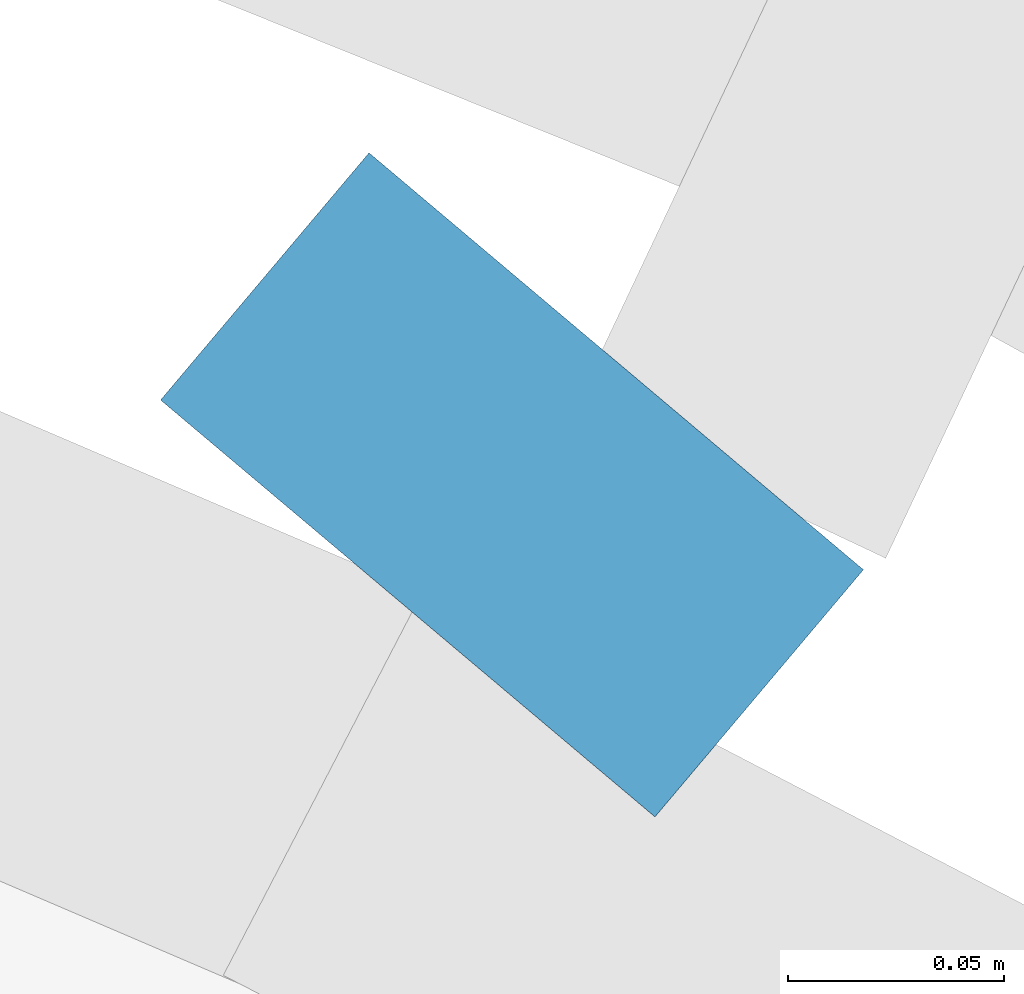
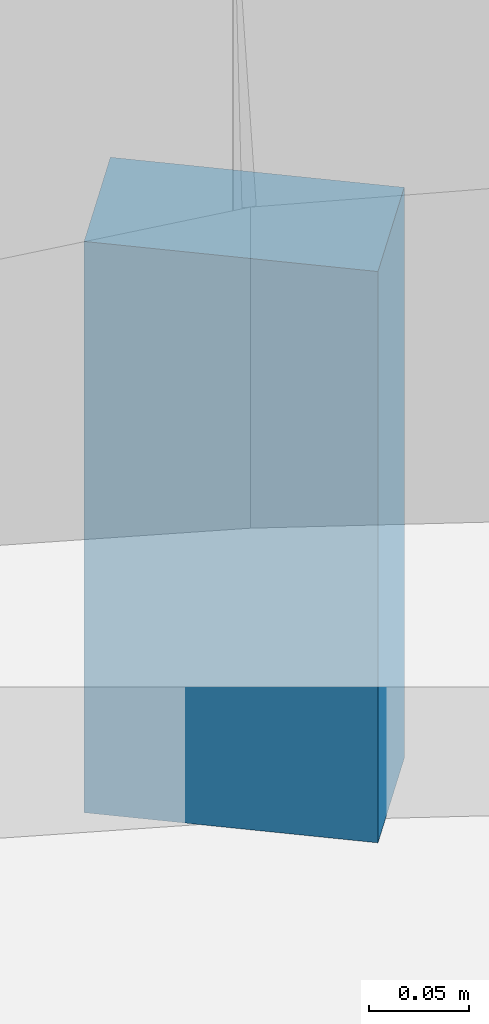
# One storey, part 22 of 27: 1 discrete accessory.
"""IFC4 building model written with IfcOpenShell, lengths in metres."""

from ifc_helpers import new_model, si_unit, direction, frame, origin, origin_2d, place, context, subcontext, project, spatial, rectangle, extrude, material, type_object, element, save


model = new_model("IFC4")

# Units and contexts
model_context = context("Model", 3, precision=1e-05, world=origin(), true_north=direction((0.0, 1.0)))
body_context = subcontext(model_context, "Body", "Model", "MODEL_VIEW")
ifc_project = project(units=[si_unit("LENGTHUNIT", "METRE"), si_unit("AREAUNIT", "SQUARE_METRE"), si_unit("VOLUMEUNIT", "CUBIC_METRE"), si_unit("PLANEANGLEUNIT", "RADIAN"), si_unit("MASSUNIT", "GRAM", prefix="KILO")], contexts=[model_context])

# Site, building, storey
site_placement = place(None, origin())
site = spatial("IfcSite", under=ifc_project, at=site_placement, CompositionType="ELEMENT")
building_placement = place(site_placement, origin())
building = spatial("IfcBuilding", under=site, at=building_placement, Name="Ghaith Harvest Tower", CompositionType="ELEMENT")
storey_placement = place(building_placement, frame((0.0, 0.0, 10.0)))
storey = spatial("IfcBuildingStorey", under=building, at=storey_placement, Name="L02", CompositionType="ELEMENT", Elevation=10.0)

# Discrete accessory
ifc_material = material(Name="Stainless steel grade 1.4401", Category="steel")
discrete_accessory_type = type_object("IfcDiscreteAccessoryType", Name="CURTAIN WALL BRACKET 75", PredefinedType="BRACKET", material=ifc_material)
discrete_accessory_placement = place(storey_placement, frame((21.922119140625, 25.99658203125, -0.25), z_axis=(0.0, 0.0, 1.0), x_axis=(0.644657240203, 0.764471740913, 0.0)))
element("IfcDiscreteAccessory", 1, at=discrete_accessory_placement, inside=storey, type_object=discrete_accessory_type, Name="CW-P bracket 1 bay 04 L02", PredefinedType="BRACKET", context=body_context, shape_type="SweptSolid", body=[
    extrude(rectangle(XDim=0.074951171875, YDim=0.14990234375, at=origin_2d()), origin(), (0.0, 0.0, 1.0), 0.35009765625),
])

save(model, "model.ifc")
